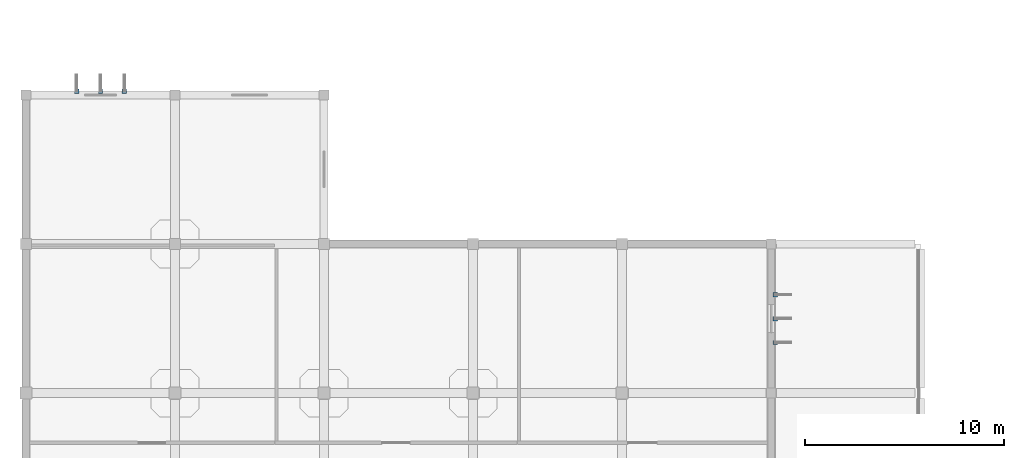
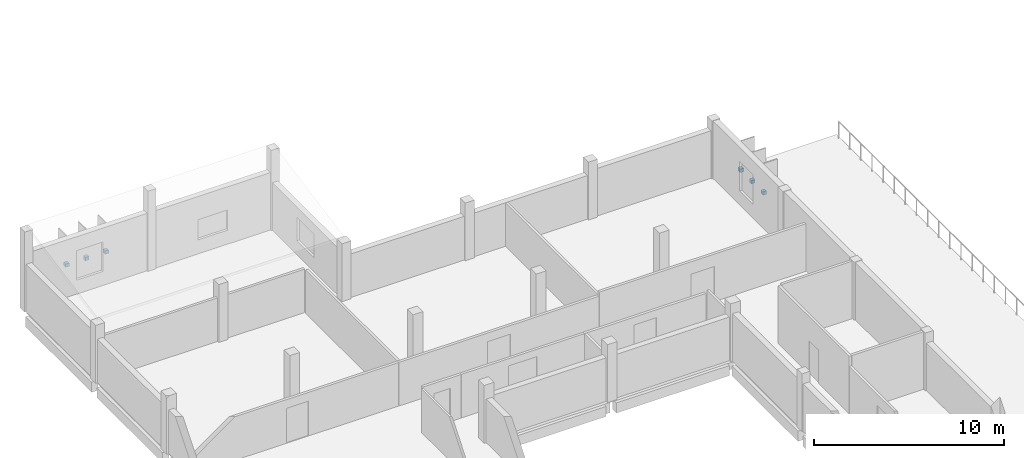
# One storey, part 13 of 21: 6 discrete accessories.
"""IFC4 building model written with IfcOpenShell, lengths in metres."""

from ifc_helpers import new_model, si_unit, direction, frame, origin, origin_2d, place, context, subcontext, project, spatial, rectangle, extrude, material, layer, layer_set, type_object, element, save


model = new_model("IFC4")

# Units and contexts
model_context = context("Model", 3, precision=1e-05, world=origin(), true_north=direction((0.0, 1.0)))
body_context = subcontext(model_context, "Body", "Model", "MODEL_VIEW")
ifc_project = project(units=[si_unit("LENGTHUNIT", "METRE"), si_unit("AREAUNIT", "SQUARE_METRE"), si_unit("VOLUMEUNIT", "CUBIC_METRE"), si_unit("PLANEANGLEUNIT", "RADIAN"), si_unit("MASSUNIT", "GRAM", prefix="KILO")], contexts=[model_context])

# Site, building, storey
site_placement = place(None, origin())
site = spatial("IfcSite", under=ifc_project, at=site_placement, CompositionType="ELEMENT")
building_placement = place(site_placement, origin())
building = spatial("IfcBuilding", under=site, at=building_placement, Name="Mawjan Specialist Oncology Clinic", CompositionType="ELEMENT")
storey_placement = place(building_placement, frame((0.0, 0.0, 13.5)))
storey = spatial("IfcBuildingStorey", under=building, at=storey_placement, Name="L03", CompositionType="ELEMENT", Elevation=13.5)

# Discrete accessories
ifc_material = material(Name="Structural steel S355", Category="steel")
ifc_layer = layer(ifc_material, 0.219970703125, Name="Structural steel S355", Category="steel")
ifc_layer_set = layer_set([ifc_layer], Name="Structural steel S355")
discrete_accessory_type = type_object("IfcDiscreteAccessoryType", Name="BRK-S355", PredefinedType="BRACKET", material=ifc_layer_set)
for number, where, z_axis, x_axis, name in (
    (1, (37.695068359375, 43.25, 1.740234375), (0.0, 0.0, 1.0), (0.0, -1.0, 0.0), "Solar Fin Mounting Bracket 73"),
    (2, (37.695068359375, 42.050048828125, 1.740234375), (0.0, 0.0, 1.0), (0.0, -1.0, 0.0), "Solar Fin Mounting Bracket 74"),
    (3, (37.695068359375, 40.85009765625, 1.740234375), (0.0, 0.0, 1.0), (0.0, -1.0, 0.0), "Solar Fin Mounting Bracket 75"),
    (4, (2.550048828125, 53.4951171875, 1.73486328125), (0.0, 0.0, 1.0), (1.0, 0.0, 0.0), "Solar Fin Mounting Bracket 76"),
    (5, (3.75, 53.4951171875, 1.73486328125), (0.0, 0.0, 1.0), (1.0, 0.0, 0.0), "Solar Fin Mounting Bracket 77"),
    (6, (4.949951171875, 53.4951171875, 1.73486328125), (0.0, 0.0, 1.0), (1.0, 0.0, 0.0), "Solar Fin Mounting Bracket 78"),
):
    element("IfcDiscreteAccessory", number, at=place(storey_placement, frame(where, z_axis=z_axis, x_axis=x_axis)), inside=storey, type_object=discrete_accessory_type, Name=name, PredefinedType="BRACKET", context=body_context, shape_type="SweptSolid", body=[
        extrude(rectangle(XDim=0.219970703125, YDim=0.219970703125, at=origin_2d()), origin(), (0.0, 0.0, 1.0), 0.219970703125),
    ])

save(model, "model.ifc")
